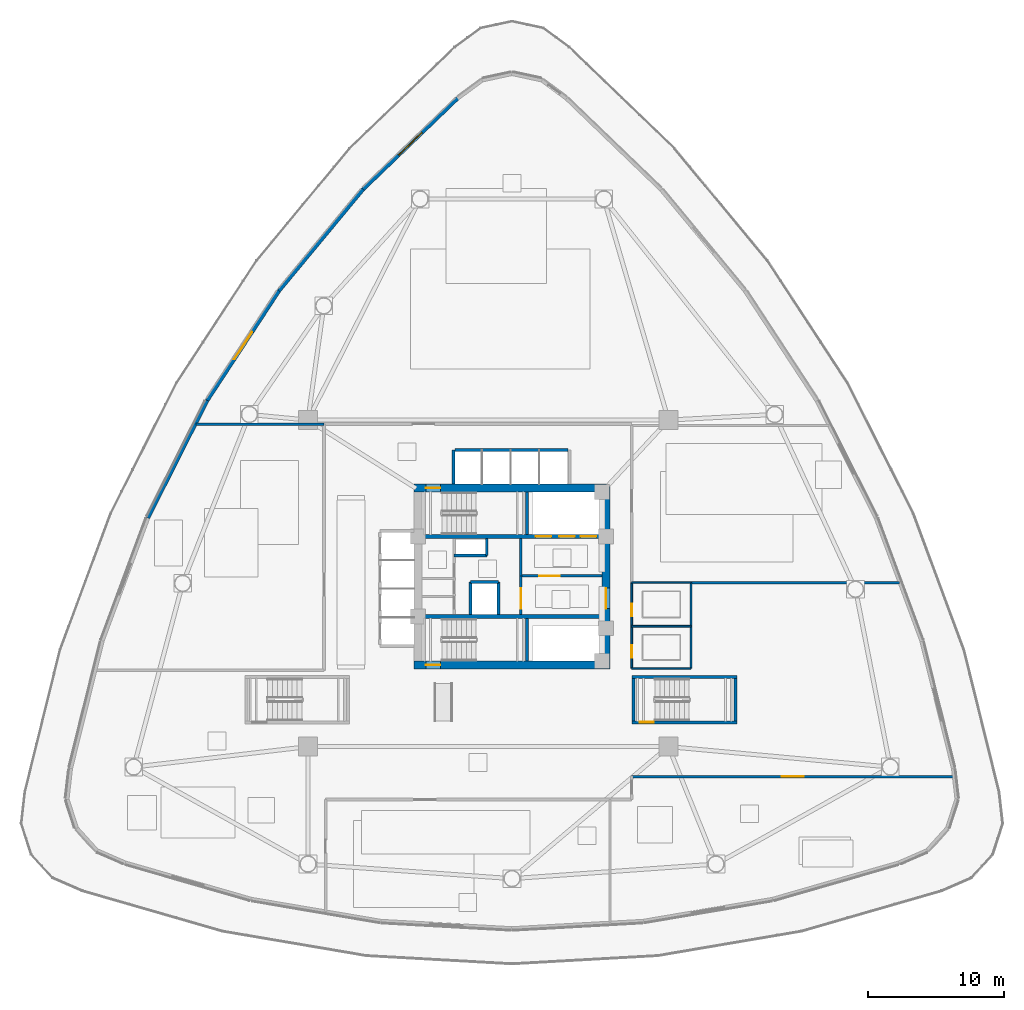
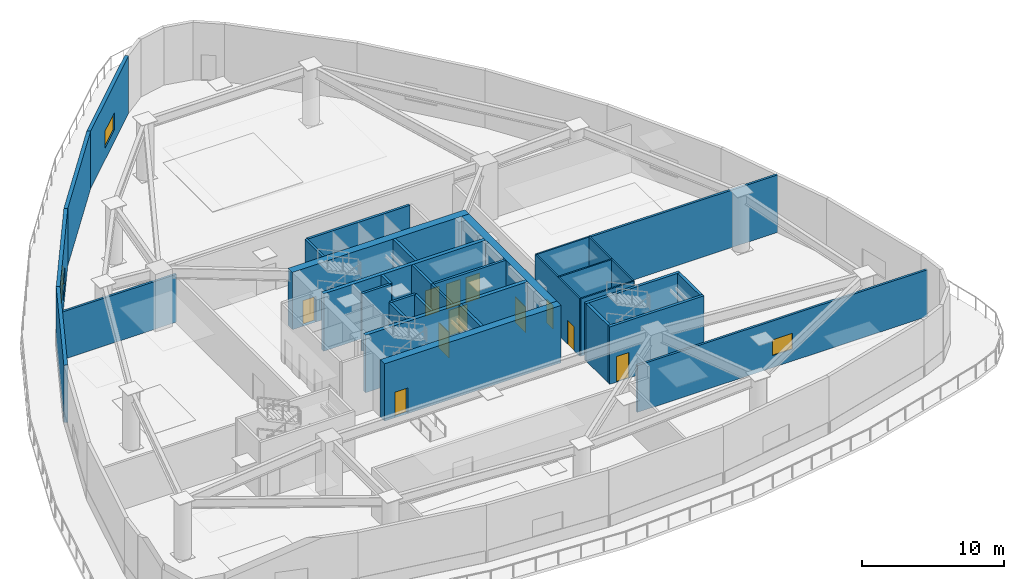
# One storey, part 4 of 13: 33 walls, 11 doors, 3 windows, 14 openings.
"""IFC4 building model written with IfcOpenShell, lengths in metres."""

from ifc_helpers import new_model, si_unit, direction, frame, frame_2d, origin, place, context, subcontext, project, spatial, rectangle, extrude, material, layer, layer_set, type_object, element, fill, save


model = new_model("IFC4")

# Units and contexts
model_context = context("Model", 3, precision=1e-05, world=origin(), true_north=direction((0.0, 1.0)))
body_context = subcontext(model_context, "Body", "Model", "MODEL_VIEW")
ifc_project = project(units=[si_unit("LENGTHUNIT", "METRE"), si_unit("AREAUNIT", "SQUARE_METRE"), si_unit("VOLUMEUNIT", "CUBIC_METRE"), si_unit("PLANEANGLEUNIT", "RADIAN"), si_unit("MASSUNIT", "GRAM", prefix="KILO")], contexts=[model_context])

# Site, building, storey
site_placement = place(None, origin())
site = spatial("IfcSite", under=ifc_project, at=site_placement, CompositionType="ELEMENT")
building_placement = place(site_placement, origin())
building = spatial("IfcBuilding", under=site, at=building_placement, Name="Tavelor Broadcast Tower", CompositionType="ELEMENT")
storey_placement = place(building_placement, frame((0.0, 0.0, 16.800048828125)))
storey = spatial("IfcBuildingStorey", under=building, at=storey_placement, Name="L03", CompositionType="ELEMENT", Elevation=16.800048828125)

# Wall, opening, door
ifc_material_1 = material(Name="Concrete C60/75", Category="concrete")
ifc_layer_1 = layer(ifc_material_1, 0.60009765625)
ifc_layer_set_1 = layer_set([ifc_layer_1], Name="Concrete C60/75")
wall_type_1 = type_object("IfcWallType", Name="Core Shear Wall 600 mm", PredefinedType="SHEAR", material=ifc_layer_set_1)
wall_1_placement = place(storey_placement, frame((42.800048828125, 51.5, 0.0), z_axis=(0.0, 0.0, 1.0), x_axis=(1.0, 0.0, 0.0)))
wall_1 = element("IfcWall", 1, at=wall_1_placement, inside=storey, type_object=wall_type_1, Name="L03 Central Core Shear Wall N", PredefinedType="SHEAR", context=body_context, shape_type="SweptSolid", body=[
    extrude(rectangle(XDim=14.39990234375, YDim=0.60009765625, at=frame_2d((7.199951171875, 0.0))), origin(), (0.0, 0.0, 1.0), 4.949951171875),
])
opening_1_placement = place(wall_1_placement, frame((0.8798828125, 0.0, 0.0)))
opening_1 = element("IfcOpeningElement", 2, at=opening_1_placement, cuts=wall_1, Name="Opening DR11", PredefinedType="OPENING", context=body_context, shape_type="SweptSolid", body=[
    extrude(rectangle(XDim=1.050048828125, YDim=2.199951171875, at=frame_2d((0.52490234375, 1.10009765625))), frame((0.0, 0.31005859375, 0.0), z_axis=(0.0, -1.0, 0.0), x_axis=(1.0, 0.0, 0.0)), (0.0, 0.0, 1.0), 0.6201171875),
])
ifc_material_2 = material(Name="Steel S355", Category="steel")
door_type_1 = type_object("IfcDoorType", Name="Stair Core Fire Escape Door 1050x2200", OperationType="NOTDEFINED", PredefinedType="DOOR", material=ifc_material_2)
door_1_placement = place(opening_1_placement, origin())
door_1 = element("IfcDoor", 3, at=door_1_placement, inside=storey, type_object=door_type_1, Name="L03 Stair ST1 Protected Exit Door", OperationType="SINGLE_SWING_LEFT", OverallHeight=2.199951171875, OverallWidth=1.050048828125, PredefinedType="DOOR", context=body_context, shape_type="SweptSolid", body=[
    extrude(rectangle(XDim=1.050048828125, YDim=2.199951171875, at=frame_2d((0.52490234375, 1.10009765625))), frame((0.0, 0.02490234375, 0.0), z_axis=(0.0, -1.0, 0.0), x_axis=(1.0, 0.0, 0.0)), (0.0, 0.0, 1.0), 0.050048828125),
])
fill(opening_1, door_1)

wall_2_placement = place(storey_placement, frame((42.800048828125, 38.5, 0.0), z_axis=(0.0, 0.0, 1.0), x_axis=(1.0, 0.0, 0.0)))
wall_2 = element("IfcWall", 4, at=wall_2_placement, inside=storey, type_object=wall_type_1, Name="L03 Central Core Shear Wall S", PredefinedType="SHEAR", context=body_context, shape_type="SweptSolid", body=[
    extrude(rectangle(XDim=14.39990234375, YDim=0.60009765625, at=frame_2d((7.199951171875, 0.0))), origin(), (0.0, 0.0, 1.0), 4.949951171875),
])
opening_2_placement = place(wall_2_placement, frame((0.8798828125, 0.0, 0.0)))
opening_2 = element("IfcOpeningElement", 5, at=opening_2_placement, cuts=wall_2, Name="Opening DR11", PredefinedType="OPENING", context=body_context, shape_type="SweptSolid", body=[
    extrude(rectangle(XDim=1.050048828125, YDim=2.199951171875, at=frame_2d((0.52490234375, 1.10009765625))), frame((0.0, 0.31005859375, 0.0), z_axis=(0.0, -1.0, 0.0), x_axis=(1.0, 0.0, 0.0)), (0.0, 0.0, 1.0), 0.6201171875),
])
door_2_placement = place(opening_2_placement, origin())
door_2 = element("IfcDoor", 6, at=door_2_placement, inside=storey, type_object=door_type_1, Name="L03 Stair ST2 Protected Exit Door", OperationType="SINGLE_SWING_RIGHT", OverallHeight=2.199951171875, OverallWidth=1.050048828125, PredefinedType="DOOR", context=body_context, shape_type="SweptSolid", body=[
    extrude(rectangle(XDim=1.050048828125, YDim=2.199951171875, at=frame_2d((0.52490234375, 1.10009765625))), frame((0.0, 0.02490234375, 0.0), z_axis=(0.0, -1.0, 0.0), x_axis=(1.0, 0.0, 0.0)), (0.0, 0.0, 1.0), 0.050048828125),
])
fill(opening_2, door_2)

wall_3_placement = place(storey_placement, frame((56.89990234375, 38.800048828125, 0.0), z_axis=(0.0, 0.0, 1.0), x_axis=(0.0, 1.0, 0.0)))
wall_3 = element("IfcWall", 7, at=wall_3_placement, inside=storey, type_object=wall_type_1, Name="L03 Central Core Shear Wall E", PredefinedType="SHEAR", context=body_context, shape_type="SweptSolid", body=[
    extrude(rectangle(XDim=12.39990234375, YDim=0.60009765625, at=frame_2d((6.199951171875, 0.0))), origin(), (0.0, 0.0, 1.0), 4.949951171875),
])
opening_3_placement = place(wall_3_placement, frame((3.85009765625, 0.0, 0.0)))
opening_3 = element("IfcOpeningElement", 8, at=opening_3_placement, cuts=wall_3, Name="Opening DR14", PredefinedType="OPENING", context=body_context, shape_type="SweptSolid", body=[
    extrude(rectangle(XDim=1.5, YDim=2.199951171875, at=frame_2d((0.75, 1.10009765625))), frame((0.0, 0.31005859375, 0.0), z_axis=(0.0, -1.0, 0.0), x_axis=(1.0, 0.0, 0.0)), (0.0, 0.0, 1.0), 0.6201171875),
])
door_type_2 = type_object("IfcDoorType", Name="Firefighting Lobby Double Fire Door 1500x2200", OperationType="NOTDEFINED", PredefinedType="DOOR", material=ifc_material_2)
door_3_placement = place(opening_3_placement, origin())
door_3 = element("IfcDoor", 9, at=door_3_placement, inside=storey, type_object=door_type_2, Name="L03 Central Core Lobby Fire Door", OperationType="SINGLE_SWING_LEFT", OverallHeight=2.199951171875, OverallWidth=1.5, PredefinedType="DOOR", context=body_context, shape_type="SweptSolid", body=[
    extrude(rectangle(XDim=1.5, YDim=2.199951171875, at=frame_2d((0.75, 1.10009765625))), frame((0.0, 0.02490234375, 0.0), z_axis=(0.0, -1.0, 0.0), x_axis=(1.0, 0.0, 0.0)), (0.0, 0.0, 1.0), 0.050048828125),
])
fill(opening_3, door_3)

# Wall, openings, doors
ifc_layer_2 = layer(ifc_material_1, 0.300048828125)
ifc_layer_set_2 = layer_set([ifc_layer_2], Name="Concrete C60/75")
wall_type_2 = type_object("IfcWallType", Name="Core Spine Shear Wall 300 mm C60", PredefinedType="SHEAR", material=ifc_layer_set_2)
wall_4_placement = place(storey_placement, frame((43.39990234375, 47.949951171875, 0.0), z_axis=(0.0, 0.0, 1.0), x_axis=(1.0, 0.0, 0.0)))
wall_4 = element("IfcWall", 10, at=wall_4_placement, inside=storey, type_object=wall_type_2, Name="L03 Central Core Shear Wall SP1", PredefinedType="SHEAR", context=body_context, shape_type="SweptSolid", body=[
    extrude(rectangle(XDim=13.2001953125, YDim=0.300048828125, at=frame_2d((6.60009765625, 0.0))), origin(), (0.0, 0.0, 1.0), 4.949951171875),
])
opening_4_placement = place(wall_4_placement, frame((8.344970703125, 0.0, 0.0)))
opening_4 = element("IfcOpeningElement", 11, at=opening_4_placement, cuts=wall_4, Name="Opening LD02", PredefinedType="OPENING", context=body_context, shape_type="SweptSolid", body=[
    extrude(rectangle(XDim=1.14990234375, YDim=2.199951171875, at=frame_2d((0.574951171875, 1.10009765625))), frame((0.0, 0.16015625, 0.0), z_axis=(0.0, -1.0, 0.0), x_axis=(1.0, 0.0, 0.0)), (0.0, 0.0, 1.0), 0.320068359375),
])
opening_5_placement = place(wall_4_placement, frame((10.06494140625, 0.0, 0.0)))
opening_5 = element("IfcOpeningElement", 12, at=opening_5_placement, cuts=wall_4, Name="Opening LD02", PredefinedType="OPENING", context=body_context, shape_type="SweptSolid", body=[
    extrude(rectangle(XDim=1.14990234375, YDim=2.199951171875, at=frame_2d((0.574951171875, 1.10009765625))), frame((0.0, 0.16015625, 0.0), z_axis=(0.0, -1.0, 0.0), x_axis=(1.0, 0.0, 0.0)), (0.0, 0.0, 1.0), 0.320068359375),
])
opening_6_placement = place(wall_4_placement, frame((11.64501953125, 0.0, 0.0)))
opening_6 = element("IfcOpeningElement", 13, at=opening_6_placement, cuts=wall_4, Name="Opening LD03", PredefinedType="OPENING", context=body_context, shape_type="SweptSolid", body=[
    extrude(rectangle(XDim=1.14990234375, YDim=2.199951171875, at=frame_2d((0.574951171875, 1.10009765625))), frame((0.0, 0.16015625, 0.0), z_axis=(0.0, -1.0, 0.0), x_axis=(1.0, 0.0, 0.0)), (0.0, 0.0, 1.0), 0.320068359375),
])
ifc_material_3 = material(Name="Reinforced Brushed Stainless Steel", Category="concrete")
door_type_3 = type_object("IfcDoorType", Name="Broadcast Goods Lift Sliding Landing Door 1250x2200", OperationType="NOTDEFINED", PredefinedType="DOOR", material=ifc_material_3)
door_4_placement = place(opening_6_placement, origin())
door_4 = element("IfcDoor", 14, at=door_4_placement, inside=storey, type_object=door_type_3, Name="L03 Lift SVL1 Sliding Landing Door", OperationType="SLIDING_TO_LEFT", OverallHeight=2.199951171875, OverallWidth=1.14990234375, PredefinedType="DOOR", context=body_context, shape_type="SweptSolid", body=[
    extrude(rectangle(XDim=1.14990234375, YDim=2.199951171875, at=frame_2d((0.574951171875, 1.10009765625))), frame((0.0, 0.02490234375, 0.0), z_axis=(0.0, -1.0, 0.0), x_axis=(1.0, 0.0, 0.0)), (0.0, 0.0, 1.0), 0.050048828125),
])
fill(opening_6, door_4)
ifc_material_4 = material(Name="Fire-Rated Stainless Steel", Category="steel")
door_type_4 = type_object("IfcDoorType", Name="Firefighting Lift Sliding Landing Door 1200x2200", OperationType="NOTDEFINED", PredefinedType="DOOR", material=ifc_material_4)
door_5_placement = place(opening_4_placement, origin())
door_5 = element("IfcDoor", 15, at=door_5_placement, inside=storey, type_object=door_type_4, Name="L03 Lift FFL1 Sliding Landing Door", OperationType="SLIDING_TO_LEFT", OverallHeight=2.199951171875, OverallWidth=1.14990234375, PredefinedType="DOOR", context=body_context, shape_type="SweptSolid", body=[
    extrude(rectangle(XDim=1.14990234375, YDim=2.199951171875, at=frame_2d((0.574951171875, 1.10009765625))), frame((0.0, 0.02490234375, 0.0), z_axis=(0.0, -1.0, 0.0), x_axis=(1.0, 0.0, 0.0)), (0.0, 0.0, 1.0), 0.050048828125),
])
fill(opening_4, door_5)
door_6_placement = place(opening_5_placement, origin())
door_6 = element("IfcDoor", 16, at=door_6_placement, inside=storey, type_object=door_type_4, Name="L03 Lift FFL2 Sliding Landing Door", OperationType="SLIDING_TO_LEFT", OverallHeight=2.199951171875, OverallWidth=1.14990234375, PredefinedType="DOOR", context=body_context, shape_type="SweptSolid", body=[
    extrude(rectangle(XDim=1.14990234375, YDim=2.199951171875, at=frame_2d((0.574951171875, 1.10009765625))), frame((0.0, 0.02490234375, 0.0), z_axis=(0.0, -1.0, 0.0), x_axis=(1.0, 0.0, 0.0)), (0.0, 0.0, 1.0), 0.050048828125),
])
fill(opening_5, door_6)

# Wall
wall_5_placement = place(storey_placement, frame((43.39990234375, 42.050048828125, 0.0), z_axis=(0.0, 0.0, 1.0), x_axis=(1.0, 0.0, 0.0)))
element("IfcWall", 17, at=wall_5_placement, inside=storey, type_object=wall_type_2, Name="L03 Central Core Shear Wall SP2", PredefinedType="SHEAR", context=body_context, shape_type="SweptSolid", body=[
    extrude(rectangle(XDim=13.2001953125, YDim=0.300048828125, at=frame_2d((6.60009765625, 0.0))), origin(), (0.0, 0.0, 1.0), 4.949951171875),
])

# Wall, opening, door
ifc_material_5 = material(Name="Calcium Silicate Fire Board 180 mm", Category="gypsum")
ifc_layer_3 = layer(ifc_material_5, 0.179931640625)
ifc_layer_set_3 = layer_set([ifc_layer_3], Name="Calcium Silicate Fire Board 180 mm")
wall_type_3 = type_object("IfcWallType", Name="Fire-Rated Corridor Partition Wall 180 mm", PredefinedType="PARTITIONING", material=ifc_layer_set_3)
wall_6_placement = place(storey_placement, frame((50.64990234375, 42.199951171875, 0.0), z_axis=(0.0, 0.0, 1.0), x_axis=(0.0, 1.0, 0.0)))
wall_6 = element("IfcWall", 18, at=wall_6_placement, inside=storey, type_object=wall_type_3, Name="L03 Core Lobby Zoning Wall", PredefinedType="PARTITIONING", context=body_context, shape_type="SweptSolid", body=[
    extrude(rectangle(XDim=2.85009765625, YDim=0.179931640625, at=frame_2d((1.425048828125, 0.0))), origin(), (0.0, 0.0, 1.0), 4.949951171875),
])
opening_7_placement = place(wall_6_placement, frame((0.449951171875, 0.0, 0.0)))
opening_7 = element("IfcOpeningElement", 19, at=opening_7_placement, cuts=wall_6, Name="Opening DR14", PredefinedType="OPENING", context=body_context, shape_type="SweptSolid", body=[
    extrude(rectangle(XDim=1.5, YDim=2.199951171875, at=frame_2d((0.75, 1.10009765625))), frame((0.0, 0.10009765625, 0.0), z_axis=(0.0, -1.0, 0.0), x_axis=(1.0, 0.0, 0.0)), (0.0, 0.0, 1.0), 0.199951171875),
])
door_7_placement = place(opening_7_placement, origin())
door_7 = element("IfcDoor", 20, at=door_7_placement, inside=storey, type_object=door_type_2, Name="L03 Core West Lobby Double Fire Door", OperationType="SINGLE_SWING_LEFT", OverallHeight=2.199951171875, OverallWidth=1.5, PredefinedType="DOOR", context=body_context, shape_type="SweptSolid", body=[
    extrude(rectangle(XDim=1.5, YDim=2.199951171875, at=frame_2d((0.75, 1.10009765625))), frame((0.0, 0.02490234375, 0.0), z_axis=(0.0, -1.0, 0.0), x_axis=(1.0, 0.0, 0.0)), (0.0, 0.0, 1.0), 0.050048828125),
])
fill(opening_7, door_7)

# Wall, opening, window
wall_7_placement = place(storey_placement, frame((58.800048828125, 30.300048828125, 0.0), z_axis=(0.0, 0.0, 1.0), x_axis=(1.0, 0.0, 0.0)))
wall_7 = element("IfcWall", 21, at=wall_7_placement, inside=storey, type_object=wall_type_3, Name="L03 South-East Wing North Wall", PredefinedType="PARTITIONING", context=body_context, shape_type="SweptSolid", body=[
    extrude(rectangle(XDim=23.6630859375, YDim=0.179931640625, at=frame_2d((11.83154296875, 0.0))), origin(), (0.0, 0.0, 1.0), 4.02490234375),
])
opening_8_placement = place(wall_7_placement, frame((11.031494140625, 0.0, 1.050048828125)))
opening_8 = element("IfcOpeningElement", 22, at=opening_8_placement, cuts=wall_7, Name="Opening WN05", PredefinedType="OPENING", context=body_context, shape_type="SweptSolid", body=[
    extrude(rectangle(XDim=1.60009765625, YDim=1.35009765625, at=frame_2d((0.800048828125, 0.675048828125))), frame((0.0, 0.10009765625, 0.0), z_axis=(0.0, -1.0, 0.0), x_axis=(1.0, 0.0, 0.0)), (0.0, 0.0, 1.0), 0.199951171875),
])
ifc_material_6 = material(Name="Acoustic Double Glazing 28 mm", Category="glass")
window_type_1 = type_object("IfcWindowType", Name="Audio Booth Acoustic Observation Window 1600x1350", PartitioningType="SINGLE_PANEL", PredefinedType="WINDOW", material=ifc_material_6)
window_1_placement = place(opening_8_placement, origin())
window_1 = element("IfcWindow", 23, at=window_1_placement, inside=storey, type_object=window_type_1, Name="L03 Studio Acoustic Observation Window 016", OverallHeight=1.35009765625, OverallWidth=1.60009765625, PartitioningType="SINGLE_PANEL", PredefinedType="WINDOW", context=body_context, shape_type="SweptSolid", body=[
    extrude(rectangle(XDim=1.60009765625, YDim=1.35009765625, at=frame_2d((0.800048828125, 0.675048828125))), frame((0.0, 0.030029296875, 0.0), z_axis=(0.0, -1.0, 0.0), x_axis=(1.0, 0.0, 0.0)), (0.0, 0.0, 1.0), 0.06005859375),
])
fill(opening_8, window_1)

# Walls
wall_8_placement = place(storey_placement, frame((26.764892578125, 56.199951171875, 0.0), z_axis=(0.0, 0.0, 1.0), x_axis=(1.0, 0.0, 0.0)))
element("IfcWall", 24, at=wall_8_placement, inside=storey, type_object=wall_type_3, Name="L03 West Hall North Wall", PredefinedType="PARTITIONING", context=body_context, shape_type="SweptSolid", body=[
    extrude(rectangle(XDim=9.43505859375, YDim=0.179931640625, at=frame_2d((4.717529296875, 0.0))), origin(), (0.0, 0.0, 1.0), 4.125),
])
wall_9_placement = place(storey_placement, frame((63.14990234375, 44.550048828125, 0.0), z_axis=(0.0, 0.0, 1.0), x_axis=(1.0, 0.0, 0.0)))
element("IfcWall", 25, at=wall_9_placement, inside=storey, type_object=wall_type_3, Name="L03 East Room South Wall", PredefinedType="PARTITIONING", context=body_context, shape_type="SweptSolid", body=[
    extrude(rectangle(XDim=15.330322265625, YDim=0.179931640625, at=frame_2d((7.6650390625, 0.0))), origin(), (0.0, 0.0, 1.0), 4.949951171875),
])

# Wall, opening, window
ifc_material_7 = material(Name="Precast Concrete C40/50", Category="concrete")
ifc_layer_4 = layer(ifc_material_7, 0.280029296875)
ifc_layer_set_4 = layer_set([ifc_layer_4], Name="Precast Concrete C40/50")
wall_type_4 = type_object("IfcWallType", Name="Insulated Precast Terracotta Facade Wall 280 mm", PredefinedType="STANDARD", material=ifc_layer_set_4)
wall_10_placement = place(storey_placement, frame((46.01318359375, 80.1572265625, 0.0), z_axis=(0.0, 0.0, 1.0), x_axis=(-0.720315548833, -0.693646531102, 0.0)))
wall_10 = element("IfcWall", 26, at=wall_10_placement, inside=storey, type_object=wall_type_4, Name="L03 Precast Terracotta Facade Wall 05", PredefinedType="STANDARD", context=body_context, shape_type="SweptSolid", body=[
    extrude(rectangle(XDim=9.685546875, YDim=0.280029296875, at=frame_2d((4.8427734375, 0.0))), origin(), (0.0, 0.0, 1.0), 4.949951171875),
])
opening_9_placement = place(wall_10_placement, frame((3.642578125, 0.0, 1.0)))
opening_9 = element("IfcOpeningElement", 27, at=opening_9_placement, cuts=wall_10, Name="Opening WN17", PredefinedType="OPENING", context=body_context, shape_type="SweptSolid", body=[
    extrude(rectangle(XDim=2.39990234375, YDim=1.5, at=frame_2d((1.199951171875, 0.75))), frame((0.0, 0.14990234375, 0.0), z_axis=(0.0, -1.0, 0.0), x_axis=(1.0, 0.0, 0.0)), (0.0, 0.0, 1.0), 0.300048828125),
])
window_type_2 = type_object("IfcWindowType", Name="Broadcast Control Clerestory Window 2400x1500", PartitioningType="SINGLE_PANEL", PredefinedType="WINDOW", material=ifc_material_6)
window_2_placement = place(opening_9_placement, origin())
window_2 = element("IfcWindow", 28, at=window_2_placement, inside=storey, type_object=window_type_2, Name="L03 Broadcast Facade Window 05", OverallHeight=1.5, OverallWidth=2.39990234375, PartitioningType="SINGLE_PANEL", PredefinedType="WINDOW", context=body_context, shape_type="SweptSolid", body=[
    extrude(rectangle(XDim=2.39990234375, YDim=1.5, at=frame_2d((1.199951171875, 0.75))), frame((0.0, 0.030029296875, 0.0), z_axis=(0.0, -1.0, 0.0), x_axis=(1.0, 0.0, 0.0)), (0.0, 0.0, 1.0), 0.06005859375),
])
fill(opening_9, window_2)

# Wall
wall_11_placement = place(storey_placement, frame((39.056884765625, 73.4609375, 0.0), z_axis=(0.0, 0.0, 1.0), x_axis=(-0.638064831354, -0.769982643304, 0.0)))
element("IfcWall", 29, at=wall_11_placement, inside=storey, type_object=wall_type_4, Name="L03 Precast Terracotta Facade Wall 06", PredefinedType="STANDARD", context=body_context, shape_type="SweptSolid", body=[
    extrude(rectangle(XDim=9.6865234375, YDim=0.280029296875, at=frame_2d((4.84326171875, 0.0))), origin(), (0.0, 0.0, 1.0), 4.949951171875),
])

# Wall, opening, window
wall_12_placement = place(storey_placement, frame((32.89404296875, 66.026611328125, 0.0), z_axis=(0.0, 0.0, 1.0), x_axis=(-0.547789091433, -0.836616466074, 0.0)))
wall_12 = element("IfcWall", 30, at=wall_12_placement, inside=storey, type_object=wall_type_4, Name="L03 Precast Terracotta Facade Wall 07", PredefinedType="STANDARD", context=body_context, shape_type="SweptSolid", body=[
    extrude(rectangle(XDim=9.68701171875, YDim=0.280029296875, at=frame_2d((4.843505859375, 0.0))), origin(), (0.0, 0.0, 1.0), 4.949951171875),
])
opening_10_placement = place(wall_12_placement, frame((3.643310546875, 0.0, 1.0)))
opening_10 = element("IfcOpeningElement", 31, at=opening_10_placement, cuts=wall_12, Name="Opening WN17", PredefinedType="OPENING", context=body_context, shape_type="SweptSolid", body=[
    extrude(rectangle(XDim=2.39990234375, YDim=1.5, at=frame_2d((1.199951171875, 0.75))), frame((0.0, 0.14990234375, 0.0), z_axis=(0.0, -1.0, 0.0), x_axis=(1.0, 0.0, 0.0)), (0.0, 0.0, 1.0), 0.300048828125),
])
window_3_placement = place(opening_10_placement, origin())
window_3 = element("IfcWindow", 32, at=window_3_placement, inside=storey, type_object=window_type_2, Name="L03 Broadcast Facade Window 07", OverallHeight=1.5, OverallWidth=2.39990234375, PartitioningType="SINGLE_PANEL", PredefinedType="WINDOW", context=body_context, shape_type="SweptSolid", body=[
    extrude(rectangle(XDim=2.39990234375, YDim=1.5, at=frame_2d((1.199951171875, 0.75))), frame((0.0, 0.030029296875, 0.0), z_axis=(0.0, -1.0, 0.0), x_axis=(1.0, 0.0, 0.0)), (0.0, 0.0, 1.0), 0.06005859375),
])
fill(opening_10, window_3)

# Walls
wall_13_placement = place(storey_placement, frame((27.602783203125, 57.948486328125, 0.0), z_axis=(0.0, 0.0, 1.0), x_axis=(-0.450627844178, -0.892711905405, 0.0)))
element("IfcWall", 33, at=wall_13_placement, inside=storey, type_object=wall_type_4, Name="L03 Precast Terracotta Facade Wall 08", PredefinedType="STANDARD", context=body_context, shape_type="SweptSolid", body=[
    extrude(rectangle(XDim=9.68701171875, YDim=0.280029296875, at=frame_2d((4.843505859375, 0.0))), origin(), (0.0, 0.0, 1.0), 4.949951171875),
])
ifc_material_8 = material(Name="Concrete Blockwork 200 mm", Category="masonry")
ifc_layer_5 = layer(ifc_material_8, 0.199951171875)
ifc_layer_set_5 = layer_set([ifc_layer_5], Name="Concrete Blockwork 200 mm")
wall_type_5 = type_object("IfcWallType", Name="Lift Hoistway Rated Front Wall 200 mm", PredefinedType="PARTITIONING", material=ifc_layer_set_5)
wall_14_placement = place(storey_placement, frame((49.0, 42.199951171875, 0.0), z_axis=(0.0, 0.0, 1.0), x_axis=(0.0, 1.0, 0.0)))
element("IfcWall", 34, at=wall_14_placement, inside=storey, type_object=wall_type_5, Name="L03 Mid-Rise Lift PLM4 Hoistway Front Wall", PredefinedType="PARTITIONING", context=body_context, shape_type="SweptSolid", body=[
    extrude(rectangle(XDim=2.400146484375, YDim=0.199951171875, at=frame_2d((1.2001953125, 0.0))), origin(), (0.0, 0.0, 1.0), 4.949951171875),
])
wall_15_placement = place(storey_placement, frame((45.820068359375, 54.300048828125, 0.0), z_axis=(0.0, 0.0, 1.0), x_axis=(1.0, 0.0, 0.0)))
element("IfcWall", 35, at=wall_15_placement, inside=storey, type_object=wall_type_5, Name="L03 High-Rise Lift Hoistway Front Wall", PredefinedType="PARTITIONING", context=body_context, shape_type="SweptSolid", body=[
    extrude(rectangle(XDim=8.309814453125, YDim=0.199951171875, at=frame_2d((4.15478515625, 0.0))), origin(), (0.0, 0.0, 1.0), 4.949951171875),
])
ifc_layer_6 = layer(ifc_material_8, 0.199951171875)
ifc_layer_set_6 = layer_set([ifc_layer_6], Name="Concrete Blockwork 200 mm")
wall_type_6 = type_object("IfcWallType", Name="Lift and Riser Shaft Enclosure Wall 200 mm", PredefinedType="PARTITIONING", material=ifc_layer_set_6)
wall_16_placement = place(storey_placement, frame((45.699951171875, 51.800048828125, 0.0), z_axis=(0.0, 0.0, 1.0), x_axis=(0.0, 1.0, 0.0)))
element("IfcWall", 36, at=wall_16_placement, inside=storey, type_object=wall_type_6, Name="L03 High-Rise Lift Shaft West Wall", PredefinedType="PARTITIONING", context=body_context, shape_type="SweptSolid", body=[
    extrude(rectangle(XDim=2.5, YDim=0.199951171875, at=frame_2d((1.25, 0.0))), origin(), (0.0, 0.0, 1.0), 4.949951171875),
])
wall_17_placement = place(storey_placement, frame((45.75, 46.550048828125, 0.0), z_axis=(0.0, 0.0, 1.0), x_axis=(1.0, 0.0, 0.0)))
element("IfcWall", 37, at=wall_17_placement, inside=storey, type_object=wall_type_6, Name="L03 Riser Shaft South Wall", PredefinedType="PARTITIONING", context=body_context, shape_type="SweptSolid", body=[
    extrude(rectangle(XDim=2.39990234375, YDim=0.199951171875, at=frame_2d((1.199951171875, 0.0))), origin(), (0.0, 0.0, 1.0), 4.949951171875),
])
wall_18_placement = place(storey_placement, frame((48.14990234375, 46.550048828125, 0.0), z_axis=(0.0, 0.0, 1.0), x_axis=(0.0, 1.0, 0.0)))
element("IfcWall", 38, at=wall_18_placement, inside=storey, type_object=wall_type_6, Name="L03 Riser Shaft East Wall", PredefinedType="PARTITIONING", context=body_context, shape_type="SweptSolid", body=[
    extrude(rectangle(XDim=1.25, YDim=0.199951171875, at=frame_2d((0.625, 0.0))), origin(), (0.0, 0.0, 1.0), 4.949951171875),
])
wall_19_placement = place(storey_placement, frame((46.949951171875, 42.199951171875, 0.0), z_axis=(0.0, 0.0, 1.0), x_axis=(0.0, 1.0, 0.0)))
element("IfcWall", 39, at=wall_19_placement, inside=storey, type_object=wall_type_6, Name="L03 Mid-Rise Lift PLM4 West Wall", PredefinedType="PARTITIONING", context=body_context, shape_type="SweptSolid", body=[
    extrude(rectangle(XDim=2.400146484375, YDim=0.199951171875, at=frame_2d((1.2001953125, 0.0))), origin(), (0.0, 0.0, 1.0), 4.949951171875),
])
wall_20_placement = place(storey_placement, frame((46.949951171875, 44.60009765625, 0.0), z_axis=(0.0, 0.0, 1.0), x_axis=(1.0, 0.0, 0.0)))
element("IfcWall", 40, at=wall_20_placement, inside=storey, type_object=wall_type_6, Name="L03 Mid-Rise Lift PLM4 North Wall", PredefinedType="PARTITIONING", context=body_context, shape_type="SweptSolid", body=[
    extrude(rectangle(XDim=2.050048828125, YDim=0.199951171875, at=frame_2d((1.02490234375, 0.0))), origin(), (0.0, 0.0, 1.0), 4.949951171875),
])

# Wall, opening, door
wall_21_placement = place(storey_placement, frame((50.64990234375, 45.050048828125, 0.0), z_axis=(0.0, 0.0, 1.0), x_axis=(1.0, 0.0, 0.0)))
wall_21 = element("IfcWall", 41, at=wall_21_placement, inside=storey, type_object=wall_type_6, Name="L03 Firefighting Lobby South Wall", PredefinedType="PARTITIONING", context=body_context, shape_type="SweptSolid", body=[
    extrude(rectangle(XDim=5.9501953125, YDim=0.199951171875, at=frame_2d((2.97509765625, 0.0))), origin(), (0.0, 0.0, 1.0), 4.949951171875),
])
opening_11_placement = place(wall_21_placement, frame((1.35009765625, 0.0, 0.0)))
opening_11 = element("IfcOpeningElement", 42, at=opening_11_placement, cuts=wall_21, Name="Opening DR14", PredefinedType="OPENING", context=body_context, shape_type="SweptSolid", body=[
    extrude(rectangle(XDim=1.5, YDim=2.199951171875, at=frame_2d((0.75, 1.10009765625))), frame((0.0, 0.10986328125, 0.0), z_axis=(0.0, -1.0, 0.0), x_axis=(1.0, 0.0, 0.0)), (0.0, 0.0, 1.0), 0.219970703125),
])
door_8_placement = place(opening_11_placement, origin())
door_8 = element("IfcDoor", 43, at=door_8_placement, inside=storey, type_object=door_type_2, Name="L03 Firefighting Lobby Compartment Door", OperationType="SINGLE_SWING_RIGHT", OverallHeight=2.199951171875, OverallWidth=1.5, PredefinedType="DOOR", context=body_context, shape_type="SweptSolid", body=[
    extrude(rectangle(XDim=1.5, YDim=2.199951171875, at=frame_2d((0.75, 1.10009765625))), frame((0.0, 0.02490234375, 0.0), z_axis=(0.0, -1.0, 0.0), x_axis=(1.0, 0.0, 0.0)), (0.0, 0.0, 1.0), 0.050048828125),
])
fill(opening_11, door_8)

# Wall
wall_22_placement = place(storey_placement, frame((50.64990234375, 45.050048828125, 0.0), z_axis=(0.0, 0.0, 1.0), x_axis=(0.0, 1.0, 0.0)))
element("IfcWall", 44, at=wall_22_placement, inside=storey, type_object=wall_type_6, Name="L03 Firefighting Lobby West Wall", PredefinedType="PARTITIONING", context=body_context, shape_type="SweptSolid", body=[
    extrude(rectangle(XDim=2.75, YDim=0.199951171875, at=frame_2d((1.375, 0.0))), origin(), (0.0, 0.0, 1.0), 4.949951171875),
])

# Wall, openings, doors
ifc_material_9 = material(Name="Moisture-Resistant Plasterboard 120 mm", Category="gypsum")
ifc_layer_7 = layer(ifc_material_9, 0.1201171875)
ifc_layer_set_7 = layer_set([ifc_layer_7], Name="Moisture-Resistant Plasterboard 120 mm")
wall_type_7 = type_object("IfcWallType", Name="Moisture-Resistant Wet-Room Partition 120 mm", PredefinedType="PARTITIONING", material=ifc_layer_set_7)
wall_23_placement = place(storey_placement, frame((58.800048828125, 38.25, 0.0), z_axis=(0.0, 0.0, 1.0), x_axis=(0.0, 1.0, 0.0)))
wall_23 = element("IfcWall", 45, at=wall_23_placement, inside=storey, type_object=wall_type_7, Name="L03 Podium WC West Wall", PredefinedType="PARTITIONING", context=body_context, shape_type="SweptSolid", body=[
    extrude(rectangle(XDim=6.300048828125, YDim=0.1201171875, at=frame_2d((3.14990234375, 0.0))), origin(), (0.0, 0.0, 1.0), 4.949951171875),
])
opening_12_placement = place(wall_23_placement, frame((0.800048828125, 0.0, 0.0)))
opening_12 = element("IfcOpeningElement", 46, at=opening_12_placement, cuts=wall_23, Name="Opening DR32", PredefinedType="OPENING", context=body_context, shape_type="SweptSolid", body=[
    extrude(rectangle(XDim=0.89990234375, YDim=2.050048828125, at=frame_2d((0.449951171875, 1.02490234375))), frame((0.0, 0.070068359375, 0.0), z_axis=(0.0, -1.0, 0.0), x_axis=(1.0, 0.0, 0.0)), (0.0, 0.0, 1.0), 0.14013671875),
])
opening_13_placement = place(wall_23_placement, frame((3.85009765625, 0.0, 0.0)))
opening_13 = element("IfcOpeningElement", 47, at=opening_13_placement, cuts=wall_23, Name="Opening DR32", PredefinedType="OPENING", context=body_context, shape_type="SweptSolid", body=[
    extrude(rectangle(XDim=0.89990234375, YDim=2.050048828125, at=frame_2d((0.449951171875, 1.02490234375))), frame((0.0, 0.070068359375, 0.0), z_axis=(0.0, -1.0, 0.0), x_axis=(1.0, 0.0, 0.0)), (0.0, 0.0, 1.0), 0.14013671875),
])
ifc_material_10 = material(Name="Timber Solid Core Hardwood", Category="wood")
door_type_5 = type_object("IfcDoorType", Name="Accessible Washroom Door 900x2050", OperationType="NOTDEFINED", PredefinedType="DOOR", material=ifc_material_10)
door_9_placement = place(opening_12_placement, origin())
door_9 = element("IfcDoor", 48, at=door_9_placement, inside=storey, type_object=door_type_5, Name="L03 Public Washroom WC Door", OperationType="SINGLE_SWING_RIGHT", OverallHeight=2.050048828125, OverallWidth=0.89990234375, PredefinedType="DOOR", context=body_context, shape_type="SweptSolid", body=[
    extrude(rectangle(XDim=0.89990234375, YDim=2.050048828125, at=frame_2d((0.449951171875, 1.02490234375))), frame((0.0, 0.02490234375, 0.0), z_axis=(0.0, -1.0, 0.0), x_axis=(1.0, 0.0, 0.0)), (0.0, 0.0, 1.0), 0.050048828125),
])
fill(opening_12, door_9)
door_10_placement = place(opening_13_placement, origin())
door_10 = element("IfcDoor", 49, at=door_10_placement, inside=storey, type_object=door_type_5, Name="L03 Accessible WC Door", OperationType="SINGLE_SWING_LEFT", OverallHeight=2.050048828125, OverallWidth=0.89990234375, PredefinedType="DOOR", context=body_context, shape_type="SweptSolid", body=[
    extrude(rectangle(XDim=0.89990234375, YDim=2.050048828125, at=frame_2d((0.449951171875, 1.02490234375))), frame((0.0, 0.02490234375, 0.0), z_axis=(0.0, -1.0, 0.0), x_axis=(1.0, 0.0, 0.0)), (0.0, 0.0, 1.0), 0.050048828125),
])
fill(opening_13, door_10)

# Walls
for number, where, z_axis, x_axis, name in (
    (50, (58.800048828125, 38.25, 0.0), (0.0, 0.0, 1.0), (1.0, 0.0, 0.0), "L03 Podium WC South Wall"),
    (51, (58.800048828125, 41.35009765625, 0.0), (0.0, 0.0, 1.0), (1.0, 0.0, 0.0), "L03 Podium WC Divider Wall"),
    (52, (58.800048828125, 44.550048828125, 0.0), (0.0, 0.0, 1.0), (1.0, 0.0, 0.0), "L03 Podium WC North Wall"),
):
    element("IfcWall", number, at=place(storey_placement, frame(where, z_axis=z_axis, x_axis=x_axis)), inside=storey, type_object=wall_type_7, Name=name, PredefinedType="PARTITIONING", context=body_context, shape_type="SweptSolid", body=[
        extrude(rectangle(XDim=4.349853515625, YDim=0.1201171875, at=frame_2d((2.1748046875, 0.0))), origin(), (0.0, 0.0, 1.0), 4.949951171875),
    ])
wall_24_placement = place(storey_placement, frame((63.14990234375, 38.25, 0.0), z_axis=(0.0, 0.0, 1.0), x_axis=(0.0, 1.0, 0.0)))
element("IfcWall", 53, at=wall_24_placement, inside=storey, type_object=wall_type_7, Name="L03 Podium WC East Wall", PredefinedType="PARTITIONING", context=body_context, shape_type="SweptSolid", body=[
    extrude(rectangle(XDim=6.300048828125, YDim=0.1201171875, at=frame_2d((3.14990234375, 0.0))), origin(), (0.0, 0.0, 1.0), 4.949951171875),
])
ifc_material_11 = material(Name="Concrete C40/50", Category="concrete")
ifc_layer_8 = layer(ifc_material_11, 0.219970703125)
ifc_layer_set_8 = layer_set([ifc_layer_8], Name="Concrete C40/50")
wall_type_8 = type_object("IfcWallType", Name="Structural Stairwell Shear Wall 220 mm", PredefinedType="SHEAR", material=ifc_layer_set_8)
for number, where, z_axis, x_axis, name in (
    (54, (51.110107421875, 48.10009765625, 0.0), (0.0, 0.0, 1.0), (0.0, 1.0, 0.0), "L03 Stair ST1 Structural Shaft Wall"),
    (55, (51.110107421875, 38.800048828125, 0.0), (0.0, 0.0, 1.0), (0.0, 1.0, 0.0), "L03 Stair ST2 Structural Shaft Wall"),
):
    element("IfcWall", number, at=place(storey_placement, frame(where, z_axis=z_axis, x_axis=x_axis)), inside=storey, type_object=wall_type_8, Name=name, PredefinedType="SHEAR", context=body_context, shape_type="SweptSolid", body=[
        extrude(rectangle(XDim=3.099853515625, YDim=0.219970703125, at=frame_2d((1.5498046875, 0.0))), origin(), (0.0, 0.0, 1.0), 4.949951171875),
    ])

# Wall, opening, door
wall_25_placement = place(storey_placement, frame((58.830078125, 34.2900390625, 0.0), z_axis=(0.0, 0.0, 1.0), x_axis=(1.0, 0.0, 0.0)))
wall_25 = element("IfcWall", 56, at=wall_25_placement, inside=storey, type_object=wall_type_8, Name="L03 Stair ST4 Structural Shaft Wall S", PredefinedType="SHEAR", context=body_context, shape_type="SweptSolid", body=[
    extrude(rectangle(XDim=7.68994140625, YDim=0.219970703125, at=frame_2d((3.844970703125, 0.0))), origin(), (0.0, 0.0, 1.0), 4.949951171875),
])
opening_14_placement = place(wall_25_placement, frame((0.550048828125, 0.0, 0.0)))
opening_14 = element("IfcOpeningElement", 57, at=opening_14_placement, cuts=wall_25, Name="Opening DR11", PredefinedType="OPENING", context=body_context, shape_type="SweptSolid", body=[
    extrude(rectangle(XDim=1.050048828125, YDim=2.199951171875, at=frame_2d((0.52490234375, 1.10009765625))), frame((0.0, 0.1201171875, 0.0), z_axis=(0.0, -1.0, 0.0), x_axis=(1.0, 0.0, 0.0)), (0.0, 0.0, 1.0), 0.239990234375),
])
door_11_placement = place(opening_14_placement, origin())
door_11 = element("IfcDoor", 58, at=door_11_placement, inside=storey, type_object=door_type_1, Name="L03 Stair ST4 Protected Fire Door", OperationType="SINGLE_SWING_RIGHT", OverallHeight=2.199951171875, OverallWidth=1.050048828125, PredefinedType="DOOR", context=body_context, shape_type="SweptSolid", body=[
    extrude(rectangle(XDim=1.050048828125, YDim=2.199951171875, at=frame_2d((0.52490234375, 1.10009765625))), frame((0.0, 0.02490234375, 0.0), z_axis=(0.0, -1.0, 0.0), x_axis=(1.0, 0.0, 0.0)), (0.0, 0.0, 1.0), 0.050048828125),
])
fill(opening_14, door_11)

# Walls
wall_26_placement = place(storey_placement, frame((58.830078125, 37.610107421875, 0.0), z_axis=(0.0, 0.0, 1.0), x_axis=(1.0, 0.0, 0.0)))
element("IfcWall", 59, at=wall_26_placement, inside=storey, type_object=wall_type_8, Name="L03 Stair ST4 Structural Shaft Wall N", PredefinedType="SHEAR", context=body_context, shape_type="SweptSolid", body=[
    extrude(rectangle(XDim=7.68994140625, YDim=0.219970703125, at=frame_2d((3.844970703125, 0.0))), origin(), (0.0, 0.0, 1.0), 4.949951171875),
])
for number, where, z_axis, x_axis, name in (
    (60, (66.409912109375, 34.39990234375, 0.0), (0.0, 0.0, 1.0), (0.0, 1.0, 0.0), "L03 Stair ST4 Structural Shaft Wall E"),
    (61, (58.93994140625, 34.39990234375, 0.0), (0.0, 0.0, 1.0), (0.0, 1.0, 0.0), "L03 Stair ST4 Structural Shaft Wall W"),
):
    element("IfcWall", number, at=place(storey_placement, frame(where, z_axis=z_axis, x_axis=x_axis)), inside=storey, type_object=wall_type_8, Name=name, PredefinedType="SHEAR", context=body_context, shape_type="SweptSolid", body=[
        extrude(rectangle(XDim=3.10009765625, YDim=0.219970703125, at=frame_2d((1.550048828125, 0.0))), origin(), (0.0, 0.0, 1.0), 4.949951171875),
    ])

save(model, "model.ifc")
